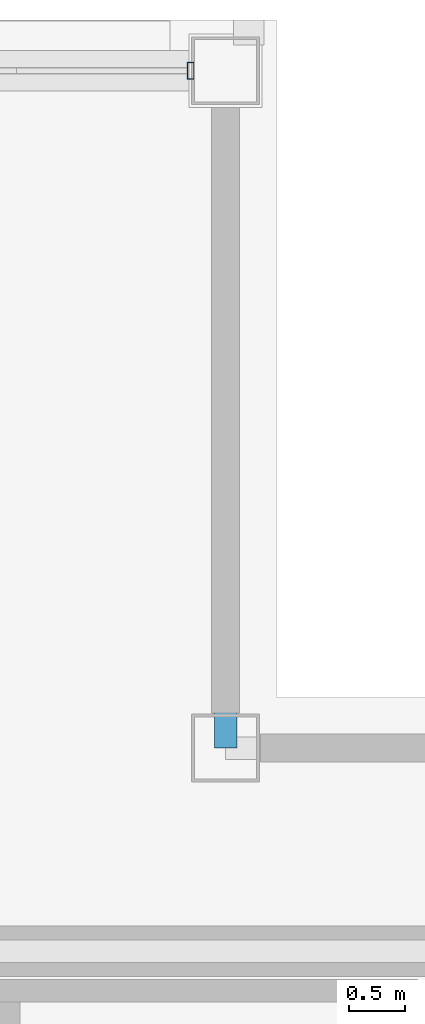
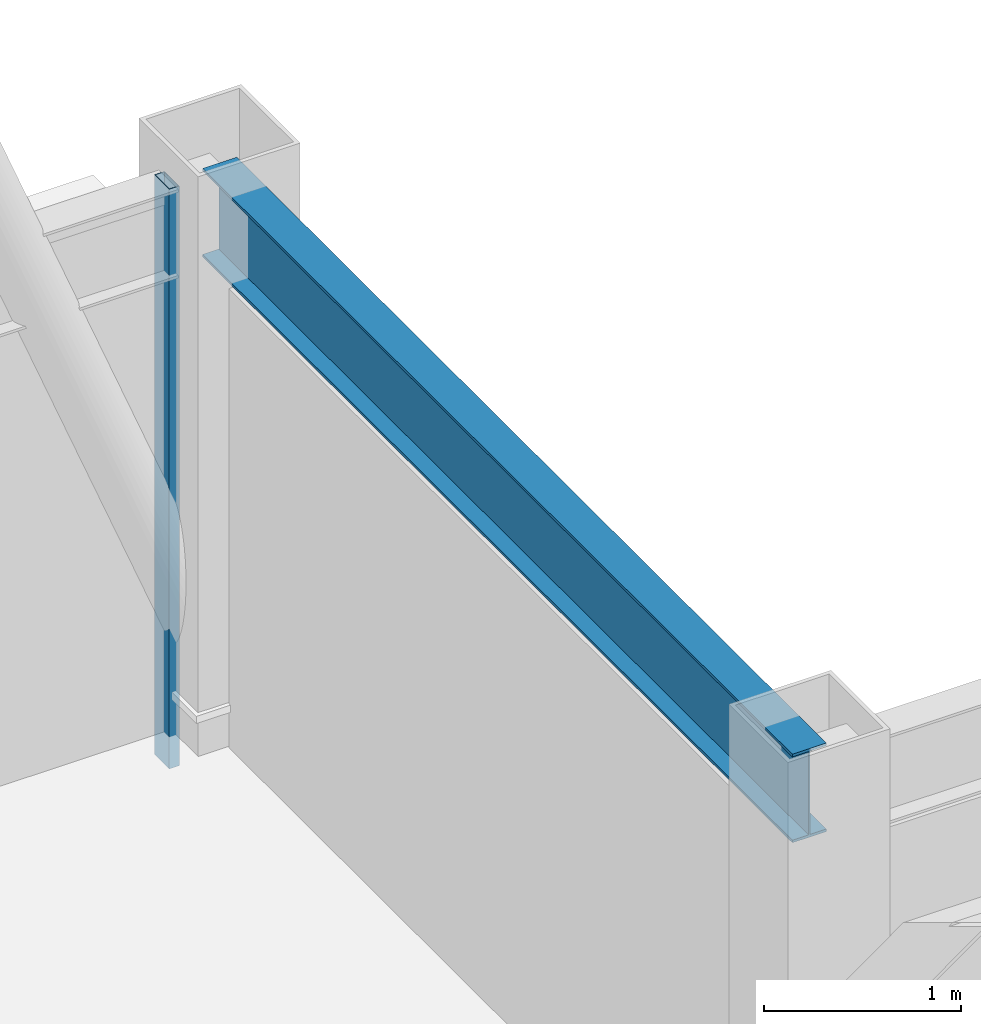
# One storey, part 19 of 24: 1 beam, 1 member, 1 element without a shape of its own.
"""IFC4 building model written with IfcOpenShell, lengths in metres."""

from ifc_helpers import new_model, si_unit, direction, frame, origin, origin_2d, place, context, subcontext, project, spatial, hollow_rectangle, i_section, extrude, material, layer, layer_set, material_profile, profile_set, type_object, element, aggregate, save


model = new_model("IFC4")

# Units and contexts
model_context = context("Model", 3, precision=1e-05, world=origin(), true_north=direction((0.0, 1.0)))
body_context = subcontext(model_context, "Body", "Model", "MODEL_VIEW")
ifc_project = project(units=[si_unit("LENGTHUNIT", "METRE"), si_unit("AREAUNIT", "SQUARE_METRE"), si_unit("VOLUMEUNIT", "CUBIC_METRE"), si_unit("PLANEANGLEUNIT", "RADIAN"), si_unit("MASSUNIT", "GRAM", prefix="KILO")], contexts=[model_context])

# Site, building, storey
site_placement = place(None, origin())
site = spatial("IfcSite", under=ifc_project, at=site_placement, CompositionType="ELEMENT")
building_placement = place(site_placement, origin())
building = spatial("IfcBuilding", under=site, at=building_placement, Name="Brelmoor Portico Tower", CompositionType="ELEMENT")
storey_placement = place(building_placement, frame((0.0, 0.0, 268.800048828125)))
storey = spatial("IfcBuildingStorey", under=building, at=storey_placement, Name="L71", CompositionType="ELEMENT", Elevation=268.800048828125)

# Beam
ifc_material_1 = material(Name="Steel Q355B", Category="steel")
ifc_material_profile_1 = material_profile(ifc_material_1, i_section(OverallWidth=0.199951171875, OverallDepth=0.550048828125, WebThickness=0.010009765625, FlangeThickness=0.01611328125, at=origin_2d()), Name="HN 550x200x10x16")
ifc_profile_set_1 = profile_set([ifc_material_profile_1], Name="Steel Q355B")
beam_type = type_object("IfcBeamType", Name="BM-SP-550", PredefinedType="SPANDREL", material=ifc_profile_set_1)
beam_placement = place(storey_placement, frame((12.550048828125, 11.550048828125, 3.125), z_axis=(0.0, 1.0, 0.0), x_axis=(-1.0, 0.0, 0.0)))
element("IfcBeam", 1, at=beam_placement, inside=storey, type_object=beam_type, Name="L71 Perimeter Spandrel Beam SP-17", PredefinedType="SPANDREL", context=body_context, shape_type="SweptSolid", body=[
    extrude(i_section(OverallWidth=0.199951171875, OverallDepth=0.550048828125, WebThickness=0.010009765625, FlangeThickness=0.01611328125, at=origin_2d()), origin(), (0.0, 0.0, 1.0), 6.0),
])

# Curtain wall, member
ifc_material_2 = material(Name="Anodised Aluminium Alloy 6063-T6", Category="aluminium")
ifc_layer = layer(ifc_material_2, 0.179931640625)
ifc_layer_set = layer_set([ifc_layer], Name="Anodised Aluminium Alloy 6063-T6")
curtain_wall_type = type_object("IfcCurtainWallType", Name="CW-TOWER-Z4-XB", PredefinedType="NOTDEFINED", material=ifc_layer_set)
curtain_wall_placement = place(storey_placement, origin())
curtain_wall = element("IfcCurtainWall", 2, at=curtain_wall_placement, inside=storey, type_object=curtain_wall_type, Name="L71 Curtain Wall CW-L71-02-3", PredefinedType="NOTDEFINED")
ifc_material_profile_2 = material_profile(ifc_material_2, hollow_rectangle(XDim=0.06005859375, YDim=0.14990234375, WallThickness=0.00390625, at=origin_2d()), Name="ALU MULLION 60x150")
ifc_profile_set_2 = profile_set([ifc_material_profile_2], Name="Anodised Aluminium Alloy 6063-T6")
member_type = type_object("IfcMemberType", Name="MB-CW-MULL-150", PredefinedType="MULLION", material=ifc_profile_set_2)
member_placement = place(storey_placement, frame((12.239990234375, 17.550048828125, -0.199951171875), z_axis=(0.0, 0.0, 1.0), x_axis=(1.0, 0.0, 0.0)))
member = element("IfcMember", 3, at=member_placement, type_object=member_type, Name="CW-L71-02-3 Mullion 01", PredefinedType="MULLION", context=body_context, shape_type="SweptSolid", body=[
    extrude(hollow_rectangle(XDim=0.06005859375, YDim=0.14990234375, WallThickness=0.00390625, at=origin_2d()), origin(), (0.0, 0.0, 1.0), 3.599853515625),
])
aggregate(curtain_wall, [member])

save(model, "model.ifc")
